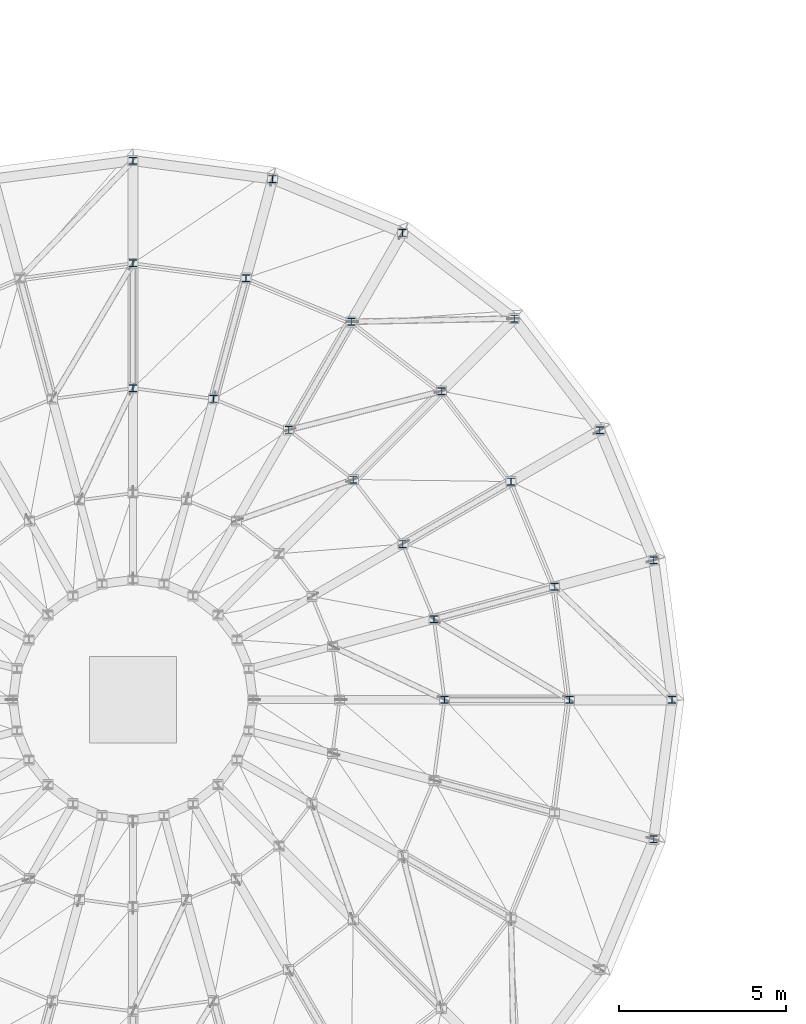
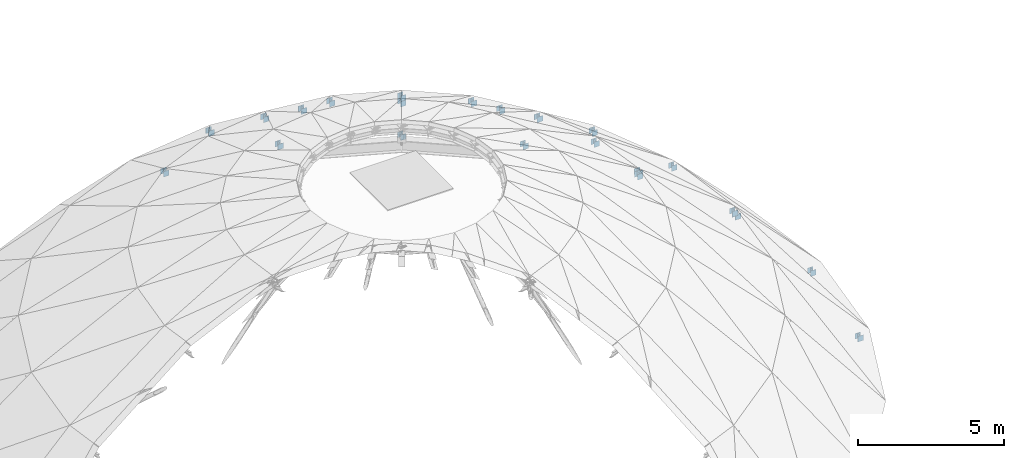
# One storey, part 9 of 19: 22 members.
"""IFC4 building model written with IfcOpenShell, lengths in metres."""

from ifc_helpers import new_model, si_unit, direction, frame, origin, origin_2d, place, context, subcontext, project, spatial, i_section, extrude, material, material_profile, profile_set, type_object, element, save


model = new_model("IFC4")

# Units and contexts
model_context = context("Model", 3, precision=1e-05, world=origin(), true_north=direction((0.0, 1.0)))
body_context = subcontext(model_context, "Body", "Model", "MODEL_VIEW")
ifc_project = project(units=[si_unit("LENGTHUNIT", "METRE"), si_unit("AREAUNIT", "SQUARE_METRE"), si_unit("VOLUMEUNIT", "CUBIC_METRE"), si_unit("PLANEANGLEUNIT", "RADIAN"), si_unit("MASSUNIT", "GRAM", prefix="KILO")], contexts=[model_context])

# Site, building, storey
site_placement = place(None, origin())
site = spatial("IfcSite", under=ifc_project, at=site_placement, CompositionType="ELEMENT")
building_placement = place(site_placement, origin())
building = spatial("IfcBuilding", under=site, at=building_placement, Name="Montecoro Central Library", CompositionType="ELEMENT")
storey_placement = place(building_placement, frame((0.0, 0.0, 25.5)))
storey = spatial("IfcBuildingStorey", under=building, at=storey_placement, Name="ROOF", CompositionType="ELEMENT", Elevation=25.5)

# Members
ifc_material = material(Name="Steel S355", Category="steel")
ifc_material_profile = material_profile(ifc_material, i_section(OverallWidth=0.219970703125, OverallDepth=0.2099609375, WebThickness=0.007080078125, FlangeThickness=0.010986328125, at=origin_2d()), Name="HEA 220")
ifc_profile_set = profile_set([ifc_material_profile], Name="Steel S355")
member_type = type_object("IfcMemberType", Name="MB-TD-HEA220", PredefinedType="STRUT", material=ifc_profile_set)
for number, where, z_axis, x_axis, name in (
    (1, (107.780029296875, 35.39990234375, -8.159912109375), (0.0, 0.0, 1.0), (1.0, 0.0, 0.0), "V1-DOME-STOOL-R0-01"),
    (2, (107.22900390625, 39.587890625, -8.159912109375), (0.0, 0.0, 1.0), (1.0, 0.0, 0.0), "V1-DOME-STOOL-R0-02"),
    (3, (105.612060546875, 43.489990234375, -8.159912109375), (0.0, 0.0, 1.0), (1.0, 0.0, 0.0), "V1-DOME-STOOL-R0-03"),
    (4, (103.041015625, 46.841064453125, -8.159912109375), (0.0, 0.0, 1.0), (1.0, 0.0, 0.0), "V1-DOME-STOOL-R0-04"),
    (5, (99.68994140625, 49.412109375, -8.159912109375), (0.0, 0.0, 1.0), (1.0, 0.0, 0.0), "V1-DOME-STOOL-R0-05"),
    (6, (95.7880859375, 51.029052734375, -8.159912109375), (0.0, 0.0, 1.0), (1.0, 0.0, 0.0), "V1-DOME-STOOL-R0-06"),
    (7, (91.60009765625, 51.580078125, -8.159912109375), (0.0, 0.0, 1.0), (1.0, 0.0, 0.0), "V1-DOME-STOOL-R0-07"),
    (8, (107.22900390625, 31.2119140625, -8.159912109375), (0.0, 0.0, 1.0), (1.0, 0.0, 0.0), "V1-DOME-STOOL-R0-24"),
    (9, (104.699951171875, 35.39990234375, -4.60009765625), (0.0, 0.0, 1.0), (1.0, 0.0, 0.0), "V1-DOME-STOOL-R1-01"),
    (10, (104.25390625, 38.791015625, -4.60009765625), (0.0, 0.0, 1.0), (1.0, 0.0, 0.0), "V1-DOME-STOOL-R1-02"),
    (11, (102.945068359375, 41.949951171875, -4.60009765625), (0.0, 0.0, 1.0), (1.0, 0.0, 0.0), "V1-DOME-STOOL-R1-03"),
    (12, (100.863037109375, 44.6630859375, -4.60009765625), (0.0, 0.0, 1.0), (1.0, 0.0, 0.0), "V1-DOME-STOOL-R1-04"),
    (13, (98.14990234375, 46.7451171875, -4.60009765625), (0.0, 0.0, 1.0), (1.0, 0.0, 0.0), "V1-DOME-STOOL-R1-05"),
    (14, (94.990966796875, 48.053955078125, -4.60009765625), (0.0, 0.0, 1.0), (1.0, 0.0, 0.0), "V1-DOME-STOOL-R1-06"),
    (15, (91.60009765625, 48.5, -4.60009765625), (0.0, 0.0, 1.0), (1.0, 0.0, 0.0), "V1-DOME-STOOL-R1-07"),
    (16, (100.949951171875, 35.39990234375, -1.75), (0.0, 0.0, 1.0), (1.0, 0.0, 0.0), "V1-DOME-STOOL-R2-01"),
    (17, (100.631103515625, 37.820068359375, -1.75), (0.0, 0.0, 1.0), (1.0, 0.0, 0.0), "V1-DOME-STOOL-R2-02"),
    (18, (99.697021484375, 40.074951171875, -1.75), (0.0, 0.0, 1.0), (1.0, 0.0, 0.0), "V1-DOME-STOOL-R2-03"),
    (19, (98.2109375, 42.010986328125, -1.75), (0.0, 0.0, 1.0), (1.0, 0.0, 0.0), "V1-DOME-STOOL-R2-04"),
    (20, (96.27490234375, 43.4970703125, -1.75), (0.0, 0.0, 1.0), (1.0, 0.0, 0.0), "V1-DOME-STOOL-R2-05"),
    (21, (94.02001953125, 44.430908203125, -1.75), (0.0, 0.0, 1.0), (1.0, 0.0, 0.0), "V1-DOME-STOOL-R2-06"),
    (22, (91.60009765625, 44.75, -1.75), (0.0, 0.0, 1.0), (1.0, 0.0, 0.0), "V1-DOME-STOOL-R2-07"),
):
    element("IfcMember", number, at=place(storey_placement, frame(where, z_axis=z_axis, x_axis=x_axis)), inside=storey, type_object=member_type, Name=name, PredefinedType="STRUT", context=body_context, shape_type="SweptSolid", body=[
        extrude(i_section(OverallWidth=0.219970703125, OverallDepth=0.2099609375, WebThickness=0.007080078125, FlangeThickness=0.010986328125, at=origin_2d()), origin(), (0.0, 0.0, 1.0), 0.22998046875),
    ])

save(model, "model.ifc")
